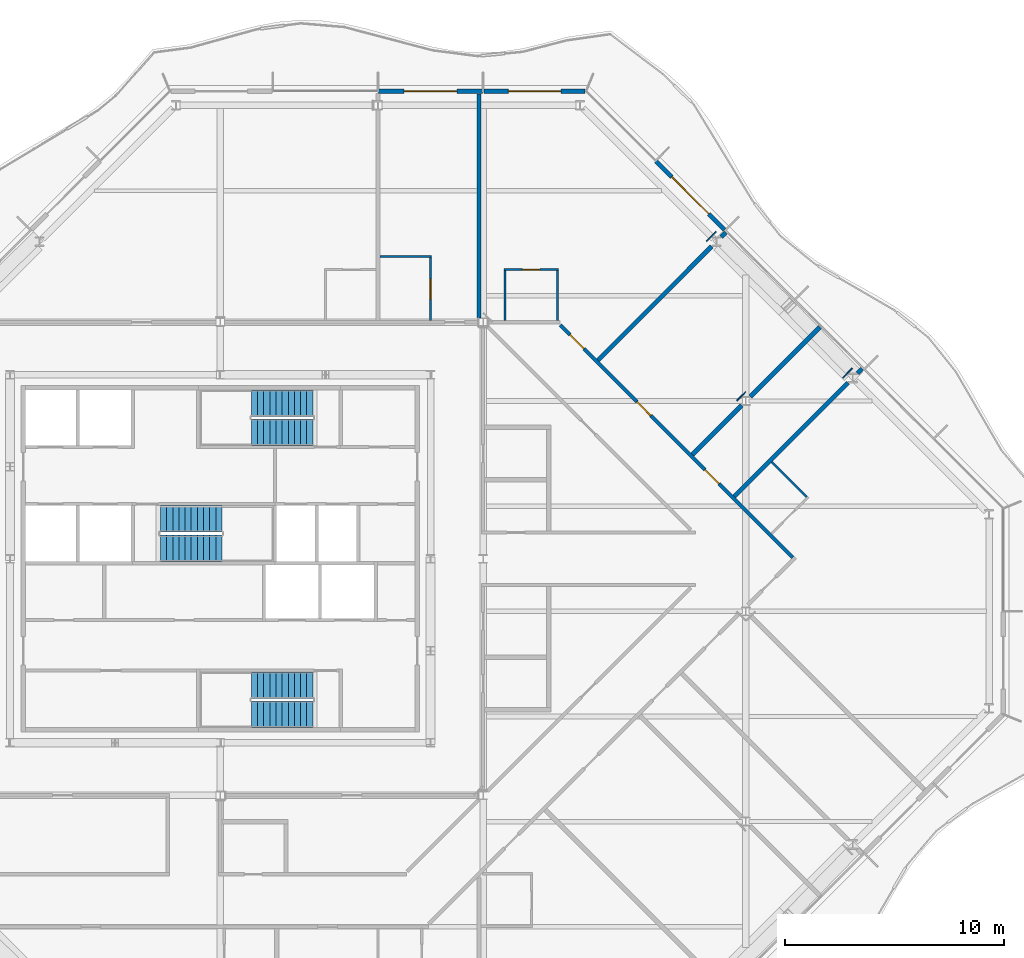
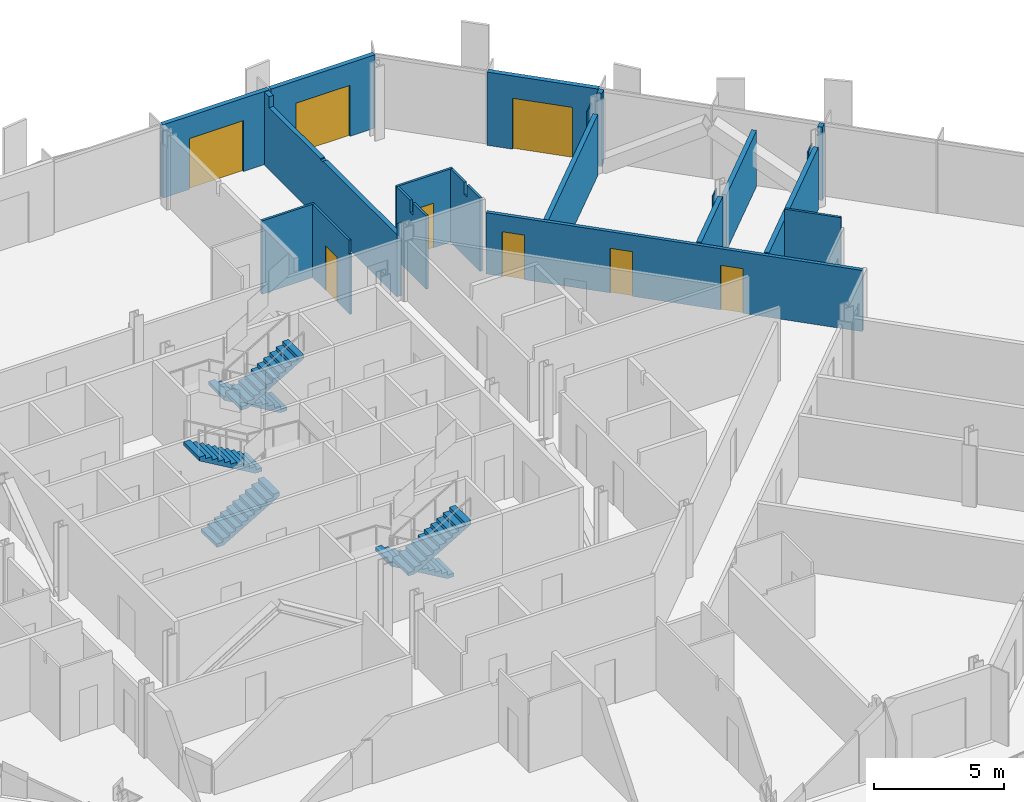
# One storey, part 12 of 17: 20 walls, 8 doors, 6 stair flights, 8 openings, 3 elements without a shape of their own.
"""IFC4 building model written with IfcOpenShell, lengths in metres."""

from ifc_helpers import new_model, si_unit, direction, frame, frame_2d, origin, place, context, subcontext, project, spatial, polyline, rectangle, outline, extrude, material, layer, layer_set, type_object, element, fill, aggregate, save


model = new_model("IFC4")

# Units and contexts
model_context = context("Model", 3, precision=1e-05, world=origin(), true_north=direction((0.0, 1.0)))
body_context = subcontext(model_context, "Body", "Model", "MODEL_VIEW")
ifc_project = project(units=[si_unit("LENGTHUNIT", "METRE"), si_unit("AREAUNIT", "SQUARE_METRE"), si_unit("VOLUMEUNIT", "CUBIC_METRE"), si_unit("PLANEANGLEUNIT", "RADIAN"), si_unit("MASSUNIT", "GRAM", prefix="KILO")], contexts=[model_context])

# Site, building, storey
site_placement = place(None, origin())
site = spatial("IfcSite", under=ifc_project, at=site_placement, CompositionType="ELEMENT")
building_placement = place(site_placement, origin())
building = spatial("IfcBuilding", under=site, at=building_placement, Name="Cairn Pilgrim Tower", CompositionType="ELEMENT")
storey_placement = place(building_placement, frame((0.0, 0.0, 228.60009765625)))
storey = spatial("IfcBuildingStorey", under=building, at=storey_placement, Name="L58", CompositionType="ELEMENT", Elevation=228.60009765625)

# Wall, opening, door
ifc_material_1 = material(Name="Bronze anodised aluminium insulated sandwich panel with mineral wool fill", Category="aluminium")
ifc_layer_1 = layer(ifc_material_1, 0.199951171875)
ifc_layer_set_1 = layer_set([ifc_layer_1], Name="BRONZE INFILL FRAME WALL 200")
wall_type_1 = type_object("IfcWallType", Name="BRONZE INFILL FRAME WALL 200", PredefinedType="NOTDEFINED", material=ifc_layer_set_1)
wall_1_placement = place(storey_placement, frame((30.226318359375, 17.419921875, 0.0), z_axis=(0.0, 0.0, 1.0), x_axis=(-0.707079231393, 0.707134329907, 0.0)))
wall_1 = element("IfcWall", 1, at=wall_1_placement, inside=storey, type_object=wall_type_1, Name="Bronze infill frame wall IW-NE5", PredefinedType="NOTDEFINED", context=body_context, shape_type="SweptSolid", body=[
    extrude(rectangle(XDim=4.430908203125, YDim=0.199951171875, at=frame_2d((2.21533203125, 0.0))), origin(), (0.0, 0.0, 1.0), 3.449951171875),
])
opening_1_placement = place(wall_1_placement, frame((1.01513671875, 0.0, 0.0)))
opening_1 = element("IfcOpeningElement", 2, at=opening_1_placement, cuts=wall_1, Name="Opening 5808B2", PredefinedType="OPENING", context=body_context, shape_type="SweptSolid", body=[
    extrude(rectangle(XDim=2.39990234375, YDim=2.39990234375, at=frame_2d((1.199951171875, 1.199951171875))), frame((0.0, 0.10986328125, 0.0), z_axis=(0.0, -1.0, 0.0), x_axis=(1.0, 0.0, 0.0)), (0.0, 0.0, 1.0), 0.219970703125),
])
ifc_material_2 = material(Name="Bronze anodised aluminium frame with tinted low-E glass", Category="aluminium")
door_type_1 = type_object("IfcDoorType", Name="BALCONY SLIDING DOOR 2400x2400", OperationType="DOUBLE_DOOR_SLIDING", PredefinedType="DOOR", material=ifc_material_2)
door_1_placement = place(opening_1_placement, origin())
door_1 = element("IfcDoor", 3, at=door_1_placement, inside=storey, type_object=door_type_1, Name="Balcony sliding door 5808B2", OperationType="SINGLE_SWING_LEFT", OverallHeight=2.39990234375, OverallWidth=2.39990234375, PredefinedType="DOOR", context=body_context, shape_type="SweptSolid", body=[
    extrude(rectangle(XDim=2.39990234375, YDim=2.39990234375, at=frame_2d((1.199951171875, 1.199951171875))), frame((0.0, 0.02490234375, 0.0), z_axis=(0.0, -1.0, 0.0), x_axis=(1.0, 0.0, 0.0)), (0.0, 0.0, 1.0), 0.050048828125),
])
fill(opening_1, door_1)

wall_2_placement = place(storey_placement, frame((23.8564453125, 23.75, 0.0), z_axis=(0.0, 0.0, 1.0), x_axis=(-1.0, 0.0, 0.0)))
wall_2 = element("IfcWall", 4, at=wall_2_placement, inside=storey, type_object=wall_type_1, Name="Bronze infill frame wall IW-N1", PredefinedType="NOTDEFINED", context=body_context, shape_type="SweptSolid", body=[
    extrude(rectangle(XDim=4.62646484375, YDim=0.199951171875, at=frame_2d((2.313232421875, 0.0))), origin(), (0.0, 0.0, 1.0), 3.449951171875),
])
opening_2_placement = place(wall_2_placement, frame((1.1083984375, 0.0, 0.0)))
opening_2 = element("IfcOpeningElement", 5, at=opening_2_placement, cuts=wall_2, Name="Opening 5808B", PredefinedType="OPENING", context=body_context, shape_type="SweptSolid", body=[
    extrude(rectangle(XDim=2.39990234375, YDim=2.39990234375, at=frame_2d((1.199951171875, 1.199951171875))), frame((0.0, 0.10986328125, 0.0), z_axis=(0.0, -1.0, 0.0), x_axis=(1.0, 0.0, 0.0)), (0.0, 0.0, 1.0), 0.219970703125),
])
door_2_placement = place(opening_2_placement, origin())
door_2 = element("IfcDoor", 6, at=door_2_placement, inside=storey, type_object=door_type_1, Name="Balcony sliding door 5808B", OperationType="SINGLE_SWING_LEFT", OverallHeight=2.39990234375, OverallWidth=2.39990234375, PredefinedType="DOOR", context=body_context, shape_type="SweptSolid", body=[
    extrude(rectangle(XDim=2.39990234375, YDim=2.39990234375, at=frame_2d((1.199951171875, 1.199951171875))), frame((0.0, 0.02490234375, 0.0), z_axis=(0.0, -1.0, 0.0), x_axis=(1.0, 0.0, 0.0)), (0.0, 0.0, 1.0), 0.050048828125),
])
fill(opening_2, door_2)

wall_3_placement = place(storey_placement, frame((19.169921875, 23.75, 0.0), z_axis=(0.0, 0.0, 1.0), x_axis=(-1.0, 0.0, 0.0)))
wall_3 = element("IfcWall", 7, at=wall_3_placement, inside=storey, type_object=wall_type_1, Name="Bronze infill frame wall IW-N2", PredefinedType="NOTDEFINED", context=body_context, shape_type="SweptSolid", body=[
    extrude(rectangle(XDim=4.739990234375, YDim=0.199951171875, at=frame_2d((2.3701171875, 0.0))), origin(), (0.0, 0.0, 1.0), 3.449951171875),
])
opening_3_placement = place(wall_3_placement, frame((1.17041015625, 0.0, 0.0)))
opening_3 = element("IfcOpeningElement", 8, at=opening_3_placement, cuts=wall_3, Name="Opening 5809B", PredefinedType="OPENING", context=body_context, shape_type="SweptSolid", body=[
    extrude(rectangle(XDim=2.39990234375, YDim=2.39990234375, at=frame_2d((1.199951171875, 1.199951171875))), frame((0.0, 0.10986328125, 0.0), z_axis=(0.0, -1.0, 0.0), x_axis=(1.0, 0.0, 0.0)), (0.0, 0.0, 1.0), 0.219970703125),
])
door_3_placement = place(opening_3_placement, origin())
door_3 = element("IfcDoor", 9, at=door_3_placement, inside=storey, type_object=door_type_1, Name="Balcony sliding door 5809B", OperationType="SINGLE_SWING_LEFT", OverallHeight=2.39990234375, OverallWidth=2.39990234375, PredefinedType="DOOR", context=body_context, shape_type="SweptSolid", body=[
    extrude(rectangle(XDim=2.39990234375, YDim=2.39990234375, at=frame_2d((1.199951171875, 1.199951171875))), frame((0.0, 0.02490234375, 0.0), z_axis=(0.0, -1.0, 0.0), x_axis=(1.0, 0.0, 0.0)), (0.0, 0.0, 1.0), 0.050048828125),
])
fill(opening_3, door_3)

# Wall
ifc_material_3 = material(Name="Gypsum partition")
ifc_layer_2 = layer(ifc_material_3, 0.10009765625)
ifc_layer_set_2 = layer_set([ifc_layer_2], Name="PARTITION 100 DRYWALL")
wall_type_2 = type_object("IfcWallType", Name="PARTITION 100 DRYWALL", PredefinedType="PARTITIONING", material=ifc_layer_set_2)
wall_4_placement = place(storey_placement, frame((33.967529296875, 5.220458984375, 0.0), z_axis=(0.0, 0.0, 1.0), x_axis=(-0.707106781187, 0.707106781187, 0.0)))
element("IfcWall", 10, at=wall_4_placement, inside=storey, type_object=wall_type_2, Name="PARTITION W055", PredefinedType="PARTITIONING", context=body_context, shape_type="SweptSolid", body=[
    extrude(rectangle(XDim=2.249755859375, YDim=0.10009765625, at=frame_2d((1.125, 0.0))), origin(), (0.0, 0.0, 1.0), 3.449951171875),
])

# Wall, opening, door
wall_5_placement = place(storey_placement, frame((16.800048828125, 13.27490234375, 0.0), z_axis=(0.0, 0.0, 1.0), x_axis=(0.0, 1.0, 0.0)))
wall_5 = element("IfcWall", 11, at=wall_5_placement, inside=storey, type_object=wall_type_2, Name="PARTITION W067", PredefinedType="PARTITIONING", context=body_context, shape_type="SweptSolid", body=[
    extrude(outline(polyline([(0.0, 0.0), (2.875, 0.0), (2.875, 3.449951171875), (0.074951171875, 3.449951171875), (0.072998046875, 2.829833984375), (0.0, 2.829833984375), (0.0, 0.0)])), frame((0.0, 0.050048828125, 0.0), z_axis=(0.0, -1.0, 0.0), x_axis=(1.0, 0.0, 0.0)), (0.0, 0.0, 1.0), 0.10009765625),
])
opening_4_placement = place(wall_5_placement, frame((0.97509765625, 0.0, 0.0)))
opening_4 = element("IfcOpeningElement", 12, at=opening_4_placement, cuts=wall_5, Name="Opening 5809A", PredefinedType="OPENING", context=body_context, shape_type="SweptSolid", body=[
    extrude(rectangle(XDim=0.89990234375, YDim=2.10009765625, at=frame_2d((0.449951171875, 1.050048828125))), frame((0.0, 0.06005859375, 0.0), z_axis=(0.0, -1.0, 0.0), x_axis=(1.0, 0.0, 0.0)), (0.0, 0.0, 1.0), 0.1201171875),
])
ifc_material_4 = material(Name="Timber door leaf", Category="wood")
door_type_2 = type_object("IfcDoorType", Name="WC DOOR 900x2100", OperationType="NOTDEFINED", PredefinedType="DOOR", material=ifc_material_4)
door_4_placement = place(opening_4_placement, frame((0.89990234375, 0.0, 0.0), z_axis=(0.0, 0.0, 1.0), x_axis=(-1.0, 0.0, 0.0)))
door_4 = element("IfcDoor", 13, at=door_4_placement, inside=storey, type_object=door_type_2, Name="DOOR 5809A", OperationType="SINGLE_SWING_LEFT", OverallHeight=2.10009765625, OverallWidth=0.89990234375, PredefinedType="DOOR", context=body_context, shape_type="SweptSolid", body=[
    extrude(rectangle(XDim=0.89990234375, YDim=2.10009765625, at=frame_2d((0.449951171875, 1.050048828125))), frame((0.0, 0.02490234375, 0.0), z_axis=(0.0, -1.0, 0.0), x_axis=(1.0, 0.0, 0.0)), (0.0, 0.0, 1.0), 0.050048828125),
])
fill(opening_4, door_4)

# Walls
for number, where, z_axis, x_axis, name in (
    (14, (20.194091796875, 13.27490234375, 0.0), (0.0, 0.0, 1.0), (0.0, 1.0, 0.0), "PARTITION W068"),
    (15, (22.593994140625, 13.27490234375, 0.0), (0.0, 0.0, 1.0), (0.0, 1.0, 0.0), "PARTITION W069"),
):
    element("IfcWall", number, at=place(storey_placement, frame(where, z_axis=z_axis, x_axis=x_axis)), inside=storey, type_object=wall_type_2, Name=name, PredefinedType="PARTITIONING", context=body_context, shape_type="SweptSolid", body=[
        extrude(outline(polyline([(0.0, 0.0), (2.275146484375, 0.0), (2.27490234375, 3.449951171875), (1.22998046875, 3.449951171875), (1.22802734375, 2.8798828125), (1.02001953125, 2.8798828125), (1.01806640625, 3.449951171875), (0.0, 3.449951171875), (0.0, 0.0)])), frame((0.0, 0.050048828125, 0.0), z_axis=(0.0, -1.0, 0.0), x_axis=(1.0, 0.0, 0.0)), (0.0, 0.0, 1.0), 0.10009765625),
    ])

# Wall, opening, door
wall_6_placement = place(storey_placement, frame((20.14404296875, 15.60009765625, 0.0), z_axis=(0.0, 0.0, 1.0), x_axis=(1.0, 0.0, 0.0)))
wall_6 = element("IfcWall", 16, at=wall_6_placement, inside=storey, type_object=wall_type_2, Name="PARTITION W072", PredefinedType="PARTITIONING", context=body_context, shape_type="SweptSolid", body=[
    extrude(rectangle(XDim=2.5, YDim=0.10009765625, at=frame_2d((1.25, 0.0))), origin(), (0.0, 0.0, 1.0), 3.449951171875),
])
opening_5_placement = place(wall_6_placement, frame((0.85009765625, 0.0, 0.0)))
opening_5 = element("IfcOpeningElement", 17, at=opening_5_placement, cuts=wall_6, Name="Opening 5808A", PredefinedType="OPENING", context=body_context, shape_type="SweptSolid", body=[
    extrude(rectangle(XDim=0.800048828125, YDim=2.10009765625, at=frame_2d((0.39990234375, 1.050048828125))), frame((0.0, 0.06005859375, 0.0), z_axis=(0.0, -1.0, 0.0), x_axis=(1.0, 0.0, 0.0)), (0.0, 0.0, 1.0), 0.1201171875),
])
door_type_3 = type_object("IfcDoorType", Name="WC DOOR 800x2100", OperationType="NOTDEFINED", PredefinedType="DOOR", material=ifc_material_4)
door_5_placement = place(opening_5_placement, origin())
door_5 = element("IfcDoor", 18, at=door_5_placement, inside=storey, type_object=door_type_3, Name="DOOR 5808A", OperationType="SINGLE_SWING_LEFT", OverallHeight=2.10009765625, OverallWidth=0.800048828125, PredefinedType="DOOR", context=body_context, shape_type="SweptSolid", body=[
    extrude(rectangle(XDim=0.800048828125, YDim=2.10009765625, at=frame_2d((0.39990234375, 1.050048828125))), frame((0.0, 0.02490234375, 0.0), z_axis=(0.0, -1.0, 0.0), x_axis=(1.0, 0.0, 0.0)), (0.0, 0.0, 1.0), 0.050048828125),
])
fill(opening_5, door_5)

# Wall
wall_7_placement = place(storey_placement, frame((14.5, 16.199951171875, 0.0), z_axis=(0.0, 0.0, 1.0), x_axis=(1.0, 0.0, 0.0)))
element("IfcWall", 19, at=wall_7_placement, inside=storey, type_object=wall_type_2, Name="PARTITION W073", PredefinedType="PARTITIONING", context=body_context, shape_type="SweptSolid", body=[
    extrude(rectangle(XDim=2.35009765625, YDim=0.10009765625, at=frame_2d((1.175048828125, 0.0))), origin(), (0.0, 0.0, 1.0), 3.449951171875),
])

# Wall, openings, doors
ifc_layer_3 = layer(ifc_material_3, 0.14990234375)
ifc_layer_set_3 = layer_set([ifc_layer_3], Name="PARTITION 150 DRYWALL EI 60")
wall_type_3 = type_object("IfcWallType", Name="PARTITION 150 DRYWALL EI 60", PredefinedType="PARTITIONING", material=ifc_layer_set_3)
wall_8_placement = place(storey_placement, frame((33.341064453125, 2.452880859375, 0.0), z_axis=(0.0, 0.0, 1.0), x_axis=(-0.707098652635, 0.707114909645, 0.0)))
wall_8 = element("IfcWall", 20, at=wall_8_placement, inside=storey, type_object=wall_type_3, Name="PARTITION W047", PredefinedType="PARTITIONING", context=body_context, shape_type="SweptSolid", body=[
    extrude(rectangle(XDim=15.017578125, YDim=0.14990234375, at=frame_2d((7.5087890625, 0.0))), origin(), (0.0, 0.0, 1.0), 2.8798828125),
])
opening_6_placement = place(wall_8_placement, frame((4.765625, 0.0, 0.0)))
opening_6 = element("IfcOpeningElement", 21, at=opening_6_placement, cuts=wall_8, Name="Opening 5806", PredefinedType="OPENING", context=body_context, shape_type="SweptSolid", body=[
    extrude(rectangle(XDim=0.89990234375, YDim=2.10009765625, at=frame_2d((0.449951171875, 1.050048828125))), frame((0.0, 0.0849609375, 0.0), z_axis=(0.0, -1.0, 0.0), x_axis=(1.0, 0.0, 0.0)), (0.0, 0.0, 1.0), 0.169921875),
])
opening_7_placement = place(wall_8_placement, frame((9.166748046875, 0.0, 0.0)))
opening_7 = element("IfcOpeningElement", 22, at=opening_7_placement, cuts=wall_8, Name="Opening 5807", PredefinedType="OPENING", context=body_context, shape_type="SweptSolid", body=[
    extrude(rectangle(XDim=0.89990234375, YDim=2.10009765625, at=frame_2d((0.449951171875, 1.050048828125))), frame((0.0, 0.0849609375, 0.0), z_axis=(0.0, -1.0, 0.0), x_axis=(1.0, 0.0, 0.0)), (0.0, 0.0, 1.0), 0.169921875),
])
opening_8_placement = place(wall_8_placement, frame((13.482421875, 0.0, 0.0)))
opening_8 = element("IfcOpeningElement", 23, at=opening_8_placement, cuts=wall_8, Name="Opening 5808", PredefinedType="OPENING", context=body_context, shape_type="SweptSolid", body=[
    extrude(rectangle(XDim=0.89990234375, YDim=2.10009765625, at=frame_2d((0.449951171875, 1.050048828125))), frame((0.0, 0.0849609375, 0.0), z_axis=(0.0, -1.0, 0.0), x_axis=(1.0, 0.0, 0.0)), (0.0, 0.0, 1.0), 0.169921875),
])
door_type_4 = type_object("IfcDoorType", Name="ROOM DOOR 900x2100 FD30S", OperationType="NOTDEFINED", PredefinedType="DOOR", material=ifc_material_4)
door_6_placement = place(opening_8_placement, frame((0.89990234375, 0.0, 0.0), z_axis=(0.0, 0.0, 1.0), x_axis=(-1.0, 0.0, 0.0)))
door_6 = element("IfcDoor", 24, at=door_6_placement, inside=storey, type_object=door_type_4, Name="DOOR 5808", OperationType="SINGLE_SWING_LEFT", OverallHeight=2.10009765625, OverallWidth=0.89990234375, PredefinedType="DOOR", context=body_context, shape_type="SweptSolid", body=[
    extrude(rectangle(XDim=0.89990234375, YDim=2.10009765625, at=frame_2d((0.449951171875, 1.050048828125))), frame((0.0, 0.02490234375, 0.0), z_axis=(0.0, -1.0, 0.0), x_axis=(1.0, 0.0, 0.0)), (0.0, 0.0, 1.0), 0.050048828125),
])
fill(opening_8, door_6)
door_type_5 = type_object("IfcDoorType", Name="SERVICE DOOR 900x2100 FD30S", OperationType="NOTDEFINED", PredefinedType="DOOR", material=ifc_material_4)
door_7_placement = place(opening_6_placement, frame((0.89990234375, 0.0, 0.0), z_axis=(0.0, 0.0, 1.0), x_axis=(-1.0, 0.0, 0.0)))
door_7 = element("IfcDoor", 25, at=door_7_placement, inside=storey, type_object=door_type_5, Name="DOOR 5806", OperationType="SINGLE_SWING_LEFT", OverallHeight=2.10009765625, OverallWidth=0.89990234375, PredefinedType="DOOR", context=body_context, shape_type="SweptSolid", body=[
    extrude(rectangle(XDim=0.89990234375, YDim=2.10009765625, at=frame_2d((0.449951171875, 1.050048828125))), frame((0.0, 0.02490234375, 0.0), z_axis=(0.0, -1.0, 0.0), x_axis=(1.0, 0.0, 0.0)), (0.0, 0.0, 1.0), 0.050048828125),
])
fill(opening_6, door_7)
door_8_placement = place(opening_7_placement, frame((0.89990234375, 0.0, 0.0), z_axis=(0.0, 0.0, 1.0), x_axis=(-1.0, 0.0, 0.0)))
door_8 = element("IfcDoor", 26, at=door_8_placement, inside=storey, type_object=door_type_5, Name="DOOR 5807", OperationType="SINGLE_SWING_LEFT", OverallHeight=2.10009765625, OverallWidth=0.89990234375, PredefinedType="DOOR", context=body_context, shape_type="SweptSolid", body=[
    extrude(rectangle(XDim=0.89990234375, YDim=2.10009765625, at=frame_2d((0.449951171875, 1.050048828125))), frame((0.0, 0.02490234375, 0.0), z_axis=(0.0, -1.0, 0.0), x_axis=(1.0, 0.0, 0.0)), (0.0, 0.0, 1.0), 0.050048828125),
])
fill(opening_7, door_8)

# Walls
ifc_layer_4 = layer(ifc_material_3, 0.050048828125)
ifc_layer_set_4 = layer_set([ifc_layer_4], Name="PARTITION 50 DRYWALL EI 60")
wall_type_4 = type_object("IfcWallType", Name="PARTITION 50 DRYWALL EI 60", PredefinedType="PARTITIONING", material=ifc_layer_set_4)
wall_9_placement = place(storey_placement, frame((35.626953125, 10.669189453125, 0.0), z_axis=(0.0, 0.0, 1.0), x_axis=(0.707307009627, 0.706906496032, 0.0)))
element("IfcWall", 27, at=wall_9_placement, inside=storey, type_object=wall_type_4, Name="COLUMN CASING WC19", PredefinedType="PARTITIONING", context=body_context, shape_type="SweptSolid", body=[
    extrude(rectangle(XDim=0.609619140625, YDim=0.050048828125, at=frame_2d((0.3046875, 0.0))), origin(), (0.0, 0.0, 1.0), 2.6298828125),
])
wall_10_placement = place(storey_placement, frame((30.786376953125, 9.61767578125, 0.0), z_axis=(0.0, 0.0, 1.0), x_axis=(0.707106781187, 0.707106781187, 0.0)))
element("IfcWall", 28, at=wall_10_placement, inside=storey, type_object=wall_type_4, Name="COLUMN CASING WC20", PredefinedType="PARTITIONING", context=body_context, shape_type="SweptSolid", body=[
    extrude(rectangle(XDim=0.56005859375, YDim=0.050048828125, at=frame_2d((0.280029296875, 0.0))), origin(), (0.0, 0.0, 1.0), 2.8798828125),
])
wall_11_placement = place(storey_placement, frame((29.40283203125, 16.893310546875, 0.0), z_axis=(0.0, 0.0, 1.0), x_axis=(0.706906496032, 0.707307009627, 0.0)))
element("IfcWall", 29, at=wall_11_placement, inside=storey, type_object=wall_type_4, Name="COLUMN CASING WC21", PredefinedType="PARTITIONING", context=body_context, shape_type="SweptSolid", body=[
    extrude(rectangle(XDim=0.609619140625, YDim=0.050048828125, at=frame_2d((0.3046875, 0.0))), origin(), (0.0, 0.0, 1.0), 2.929931640625),
])
ifc_layer_5 = layer(ifc_material_3, 0.199951171875)
ifc_layer_set_5 = layer_set([ifc_layer_5], Name="SHAFT WALL 200 GYPSUM EI 60")
wall_type_5 = type_object("IfcWallType", Name="SHAFT WALL 200 GYPSUM EI 60", PredefinedType="PARTITIONING", material=ifc_layer_set_5)
wall_12_placement = place(storey_placement, frame((30.662109375, 5.238037109375, 0.0), z_axis=(0.0, 0.0, 1.0), x_axis=(0.707106781187, 0.707106781187, 0.0)))
element("IfcWall", 30, at=wall_12_placement, inside=storey, type_object=wall_type_5, Name="PARTITION W054", PredefinedType="PARTITIONING", context=body_context, shape_type="SweptSolid", body=[
    extrude(rectangle(XDim=7.35107421875, YDim=0.199951171875, at=frame_2d((3.675537109375, 0.0))), origin(), (0.0, 0.0, 1.0), 2.929931640625),
])
wall_13_placement = place(storey_placement, frame((28.75, 7.14990234375, 0.0), z_axis=(0.0, 0.0, 1.0), x_axis=(0.7070684525, 0.707145107796, 0.0)))
element("IfcWall", 31, at=wall_13_placement, inside=storey, type_object=wall_type_5, Name="PARTITION W057", PredefinedType="PARTITIONING", context=body_context, shape_type="SweptSolid", body=[
    extrude(rectangle(XDim=3.184814453125, YDim=0.199951171875, at=frame_2d((1.59228515625, 0.0))), origin(), (0.0, 0.0, 1.0), 2.929931640625),
])
wall_14_placement = place(storey_placement, frame((31.39794921875, 9.798095703125, 0.0), z_axis=(0.0, 0.0, 1.0), x_axis=(0.707133900936, 0.707079660397, 0.0)))
element("IfcWall", 32, at=wall_14_placement, inside=storey, type_object=wall_type_5, Name="PARTITION W059", PredefinedType="PARTITIONING", context=body_context, shape_type="SweptSolid", body=[
    extrude(rectangle(XDim=4.5009765625, YDim=0.199951171875, at=frame_2d((2.25048828125, 0.0))), origin(), (0.0, 0.0, 1.0), 2.6298828125),
])
wall_15_placement = place(storey_placement, frame((36.291015625, 10.8671875, 0.0), z_axis=(0.0, 0.0, 1.0), x_axis=(0.707534423513, 0.706678880075, 0.0)))
element("IfcWall", 33, at=wall_15_placement, inside=storey, type_object=wall_type_5, Name="PARTITION W060", PredefinedType="PARTITIONING", context=body_context, shape_type="SweptSolid", body=[
    extrude(rectangle(XDim=0.285400390625, YDim=0.199951171875, at=frame_2d((0.142578125, 0.0))), origin(), (0.0, 0.0, 1.0), 3.449951171875),
])
wall_16_placement = place(storey_placement, frame((24.43798828125, 11.4619140625, 0.0), z_axis=(0.0, 0.0, 1.0), x_axis=(0.707090175614, 0.707123386369, 0.0)))
element("IfcWall", 34, at=wall_16_placement, inside=storey, type_object=wall_type_5, Name="PARTITION W061", PredefinedType="PARTITIONING", context=body_context, shape_type="SweptSolid", body=[
    extrude(rectangle(XDim=7.351318359375, YDim=0.199951171875, at=frame_2d((3.67578125, 0.0))), origin(), (0.0, 0.0, 1.0), 2.8798828125),
])
wall_17_placement = place(storey_placement, frame((19.013916015625, 13.396484375, 0.0), z_axis=(0.0, 0.0, 1.0), x_axis=(0.0, 1.0, 0.0)))
element("IfcWall", 35, at=wall_17_placement, inside=storey, type_object=wall_type_5, Name="PARTITION W070", PredefinedType="PARTITIONING", context=body_context, shape_type="SweptSolid", body=[
    extrude(outline(polyline([(0.0, 0.0), (10.2236328125, 0.0), (10.223388671875, 3.449951171875), (9.853515625, 3.449951171875), (9.8515625, 2.929931640625), (5.908447265625, 2.929931640625), (5.906494140625, 2.8798828125), (5.698486328125, 2.8798828125), (5.696533203125, 2.929931640625), (0.0029296875, 2.929931640625), (0.0009765625, 3.449951171875), (0.0, 3.449951171875), (0.0, 0.0)])), frame((0.0, 0.10009765625, 0.0), z_axis=(0.0, -1.0, 0.0), x_axis=(1.0, 0.0, 0.0)), (0.0, 0.0, 1.0), 0.199951171875),
])
wall_18_placement = place(storey_placement, frame((30.067138671875, 17.091064453125, 0.0), z_axis=(0.0, 0.0, 1.0), x_axis=(0.707106781187, 0.707106781187, 0.0)))
element("IfcWall", 36, at=wall_18_placement, inside=storey, type_object=wall_type_5, Name="PARTITION W074", PredefinedType="PARTITIONING", context=body_context, shape_type="SweptSolid", body=[
    extrude(rectangle(XDim=0.28515625, YDim=0.199951171875, at=frame_2d((0.142578125, 0.0))), origin(), (0.0, 0.0, 1.0), 3.449951171875),
])

# Stair, stair flights
ifc_material_5 = material(Name="Concrete C32/40", Category="concrete")
stair_type = type_object("IfcStairType", Name="EXIT STAIR 1200", PredefinedType="HALF_TURN_STAIR", material=ifc_material_5)
stair_1_placement = place(storey_placement, origin())
stair_1 = element("IfcStair", 37, at=stair_1_placement, inside=storey, type_object=stair_type, Name="L58 Exit Stair A", PredefinedType="HALF_TURN_STAIR")
stair_flight_type = type_object("IfcStairFlightType", Name="STAIR FLIGHT 1200", PredefinedType="STRAIGHT", material=ifc_material_5)
stair_flight_1_placement = place(storey_placement, frame((11.425048828125, -3.375, 0.0), z_axis=(0.0, 0.0, 1.0), x_axis=(-1.0, 0.0, 0.0)))
stair_flight_1 = element("IfcStairFlight", 38, at=stair_flight_1_placement, type_object=stair_flight_type, Name="ST-A flight 1", NumberOfRisers=11, NumberOfTreads=10, PredefinedType="STRAIGHT", RiserHeight=0.163636364, TreadLength=0.28, context=body_context, shape_type="SweptSolid", body=[
    extrude(outline(polyline([(0.0, 0.0), (0.0, 0.16357421875), (0.280029296875, 0.16357421875), (0.280029296875, 0.327392578125), (0.56005859375, 0.327392578125), (0.56005859375, 0.490966796875), (0.840087890625, 0.490966796875), (0.840087890625, 0.654541015625), (1.1201171875, 0.654541015625), (1.1201171875, 0.818115234375), (1.39990234375, 0.818115234375), (1.39990234375, 0.98193359375), (1.679931640625, 0.98193359375), (1.679931640625, 1.1455078125), (1.9599609375, 1.1455078125), (1.9599609375, 1.30908203125), (2.239990234375, 1.30908203125), (2.239990234375, 1.47265625), (2.52001953125, 1.47265625), (2.52001953125, 1.636474609375), (2.800048828125, 1.636474609375), (2.800048828125, 1.800048828125), (2.800048828125, 1.462646484375), (0.297119140625, 0.0), (0.0, 0.0)])), frame((0.0, 0.60009765625, 0.0), z_axis=(0.0, -1.0, 0.0), x_axis=(1.0, 0.0, 0.0)), (0.0, 0.0, 1.0), 1.199951171875),
])
stair_flight_2_placement = place(storey_placement, frame((8.625, -4.699951171875, 1.7998046875), z_axis=(0.0, 0.0, 1.0), x_axis=(1.0, 0.0, 0.0)))
stair_flight_2 = element("IfcStairFlight", 39, at=stair_flight_2_placement, type_object=stair_flight_type, Name="ST-A flight 2", NumberOfRisers=11, NumberOfTreads=10, PredefinedType="STRAIGHT", RiserHeight=0.163636364, TreadLength=0.28, context=body_context, shape_type="SweptSolid", body=[
    extrude(outline(polyline([(0.0, 0.0), (0.0, 0.16357421875), (0.280029296875, 0.16357421875), (0.280029296875, 0.327392578125), (0.56005859375, 0.327392578125), (0.56005859375, 0.490966796875), (0.840087890625, 0.490966796875), (0.840087890625, 0.654541015625), (1.1201171875, 0.654541015625), (1.1201171875, 0.818115234375), (1.39990234375, 0.818115234375), (1.39990234375, 0.98193359375), (1.679931640625, 0.98193359375), (1.679931640625, 1.1455078125), (1.9599609375, 1.1455078125), (1.9599609375, 1.30908203125), (2.239990234375, 1.30908203125), (2.239990234375, 1.47265625), (2.52001953125, 1.47265625), (2.52001953125, 1.636474609375), (2.800048828125, 1.636474609375), (2.800048828125, 1.800048828125), (2.800048828125, 1.462646484375), (0.297119140625, 0.0), (0.0, 0.0)])), frame((0.0, 0.60009765625, 0.0), z_axis=(0.0, -1.0, 0.0), x_axis=(1.0, 0.0, 0.0)), (0.0, 0.0, 1.0), 1.199951171875),
])
aggregate(stair_1, [stair_flight_1, stair_flight_2])

stair_2_placement = place(storey_placement, origin())
stair_2 = element("IfcStair", 40, at=stair_2_placement, inside=storey, type_object=stair_type, Name="L58 Exit Stair B", PredefinedType="HALF_TURN_STAIR")
stair_flight_3_placement = place(storey_placement, frame((4.47509765625, 2.875, 0.0), z_axis=(0.0, 0.0, 1.0), x_axis=(1.0, 0.0, 0.0)))
stair_flight_3 = element("IfcStairFlight", 41, at=stair_flight_3_placement, type_object=stair_flight_type, Name="ST-B flight 1", NumberOfRisers=11, NumberOfTreads=10, PredefinedType="STRAIGHT", RiserHeight=0.163636364, TreadLength=0.28, context=body_context, shape_type="SweptSolid", body=[
    extrude(outline(polyline([(0.0, 0.0), (0.0, 0.16357421875), (0.280029296875, 0.16357421875), (0.280029296875, 0.327392578125), (0.56005859375, 0.327392578125), (0.56005859375, 0.490966796875), (0.840087890625, 0.490966796875), (0.840087890625, 0.654541015625), (1.1201171875, 0.654541015625), (1.1201171875, 0.818115234375), (1.39990234375, 0.818115234375), (1.39990234375, 0.98193359375), (1.679931640625, 0.98193359375), (1.679931640625, 1.1455078125), (1.9599609375, 1.1455078125), (1.9599609375, 1.30908203125), (2.239990234375, 1.30908203125), (2.239990234375, 1.47265625), (2.52001953125, 1.47265625), (2.52001953125, 1.636474609375), (2.800048828125, 1.636474609375), (2.800048828125, 1.800048828125), (2.800048828125, 1.462646484375), (0.297119140625, 0.0), (0.0, 0.0)])), frame((0.0, 0.60009765625, 0.0), z_axis=(0.0, -1.0, 0.0), x_axis=(1.0, 0.0, 0.0)), (0.0, 0.0, 1.0), 1.199951171875),
])
stair_flight_4_placement = place(storey_placement, frame((7.27490234375, 4.22509765625, 1.7998046875), z_axis=(0.0, 0.0, 1.0), x_axis=(-1.0, 0.0, 0.0)))
stair_flight_4 = element("IfcStairFlight", 42, at=stair_flight_4_placement, type_object=stair_flight_type, Name="ST-B flight 2", NumberOfRisers=11, NumberOfTreads=10, PredefinedType="STRAIGHT", RiserHeight=0.163636364, TreadLength=0.28, context=body_context, shape_type="SweptSolid", body=[
    extrude(outline(polyline([(0.0, 0.0), (0.0, 0.16357421875), (0.280029296875, 0.16357421875), (0.280029296875, 0.327392578125), (0.56005859375, 0.327392578125), (0.56005859375, 0.490966796875), (0.840087890625, 0.490966796875), (0.840087890625, 0.654541015625), (1.1201171875, 0.654541015625), (1.1201171875, 0.818115234375), (1.39990234375, 0.818115234375), (1.39990234375, 0.98193359375), (1.679931640625, 0.98193359375), (1.679931640625, 1.1455078125), (1.9599609375, 1.1455078125), (1.9599609375, 1.30908203125), (2.239990234375, 1.30908203125), (2.239990234375, 1.47265625), (2.52001953125, 1.47265625), (2.52001953125, 1.636474609375), (2.800048828125, 1.636474609375), (2.800048828125, 1.800048828125), (2.800048828125, 1.462646484375), (0.297119140625, 0.0), (0.0, 0.0)])), frame((0.0, 0.60009765625, 0.0), z_axis=(0.0, -1.0, 0.0), x_axis=(1.0, 0.0, 0.0)), (0.0, 0.0, 1.0), 1.199951171875),
])
aggregate(stair_2, [stair_flight_3, stair_flight_4])

stair_3_placement = place(storey_placement, origin())
stair_3 = element("IfcStair", 43, at=stair_3_placement, inside=storey, type_object=stair_type, Name="L58 Exit Stair C", PredefinedType="HALF_TURN_STAIR")
stair_flight_5_placement = place(storey_placement, frame((11.425048828125, 9.5, 0.0), z_axis=(0.0, 0.0, 1.0), x_axis=(-1.0, 0.0, 0.0)))
stair_flight_5 = element("IfcStairFlight", 44, at=stair_flight_5_placement, type_object=stair_flight_type, Name="ST-C flight 1", NumberOfRisers=11, NumberOfTreads=10, PredefinedType="STRAIGHT", RiserHeight=0.163636364, TreadLength=0.28, context=body_context, shape_type="SweptSolid", body=[
    extrude(outline(polyline([(0.0, 0.0), (0.0, 0.16357421875), (0.280029296875, 0.16357421875), (0.280029296875, 0.327392578125), (0.56005859375, 0.327392578125), (0.56005859375, 0.490966796875), (0.840087890625, 0.490966796875), (0.840087890625, 0.654541015625), (1.1201171875, 0.654541015625), (1.1201171875, 0.818115234375), (1.39990234375, 0.818115234375), (1.39990234375, 0.98193359375), (1.679931640625, 0.98193359375), (1.679931640625, 1.1455078125), (1.9599609375, 1.1455078125), (1.9599609375, 1.30908203125), (2.239990234375, 1.30908203125), (2.239990234375, 1.47265625), (2.52001953125, 1.47265625), (2.52001953125, 1.636474609375), (2.800048828125, 1.636474609375), (2.800048828125, 1.800048828125), (2.800048828125, 1.462646484375), (0.297119140625, 0.0), (0.0, 0.0)])), frame((0.0, 0.60009765625, 0.0), z_axis=(0.0, -1.0, 0.0), x_axis=(1.0, 0.0, 0.0)), (0.0, 0.0, 1.0), 1.199951171875),
])
stair_flight_6_placement = place(storey_placement, frame((8.625, 8.175048828125, 1.7998046875), z_axis=(0.0, 0.0, 1.0), x_axis=(1.0, 0.0, 0.0)))
stair_flight_6 = element("IfcStairFlight", 45, at=stair_flight_6_placement, type_object=stair_flight_type, Name="ST-C flight 2", NumberOfRisers=11, NumberOfTreads=10, PredefinedType="STRAIGHT", RiserHeight=0.163636364, TreadLength=0.28, context=body_context, shape_type="SweptSolid", body=[
    extrude(outline(polyline([(0.0, 0.0), (0.0, 0.16357421875), (0.280029296875, 0.16357421875), (0.280029296875, 0.327392578125), (0.56005859375, 0.327392578125), (0.56005859375, 0.490966796875), (0.840087890625, 0.490966796875), (0.840087890625, 0.654541015625), (1.1201171875, 0.654541015625), (1.1201171875, 0.818115234375), (1.39990234375, 0.818115234375), (1.39990234375, 0.98193359375), (1.679931640625, 0.98193359375), (1.679931640625, 1.1455078125), (1.9599609375, 1.1455078125), (1.9599609375, 1.30908203125), (2.239990234375, 1.30908203125), (2.239990234375, 1.47265625), (2.52001953125, 1.47265625), (2.52001953125, 1.636474609375), (2.800048828125, 1.636474609375), (2.800048828125, 1.800048828125), (2.800048828125, 1.462646484375), (0.297119140625, 0.0), (0.0, 0.0)])), frame((0.0, 0.60009765625, 0.0), z_axis=(0.0, -1.0, 0.0), x_axis=(1.0, 0.0, 0.0)), (0.0, 0.0, 1.0), 1.199951171875),
])
aggregate(stair_3, [stair_flight_5, stair_flight_6])

save(model, "model.ifc")
